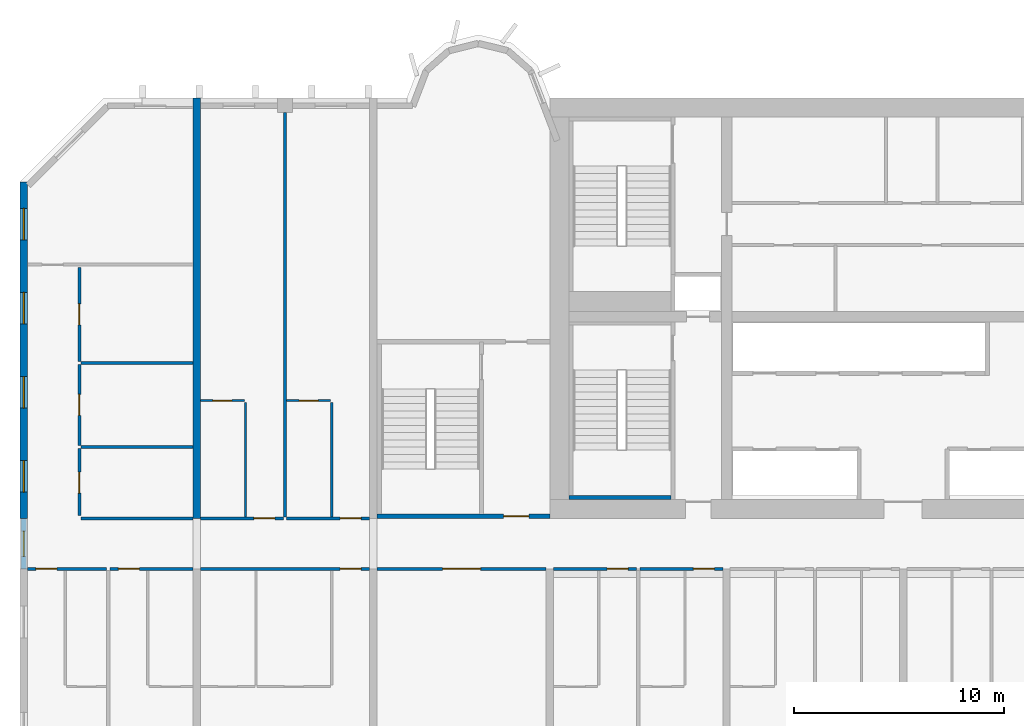
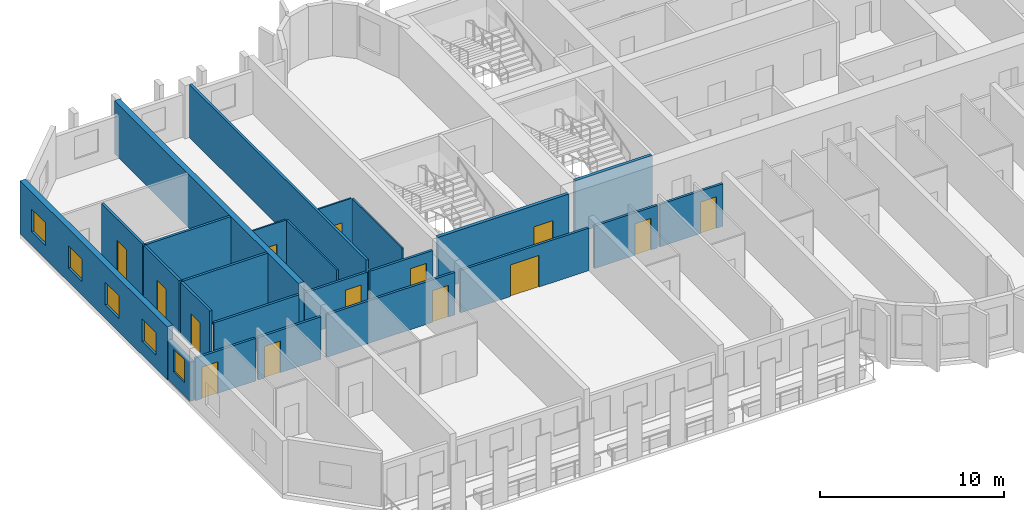
# One storey, part 3 of 15: 24 walls, 14 doors, 5 windows, 19 openings.
"""IFC4 building model written with IfcOpenShell, lengths in metres."""

from ifc_helpers import new_model, si_unit, direction, frame, frame_2d, origin, place, context, subcontext, project, spatial, rectangle, extrude, source, transform, mapped, material, layer, layer_set, type_object, element, fill, save


model = new_model("IFC4")

# Units and contexts
model_context = context("Model", 3, precision=1e-05, world=origin(), true_north=direction((0.0, 1.0)))
body_context = subcontext(model_context, "Body", "Model", "MODEL_VIEW")
ifc_project = project(units=[si_unit("LENGTHUNIT", "METRE"), si_unit("AREAUNIT", "SQUARE_METRE"), si_unit("VOLUMEUNIT", "CUBIC_METRE"), si_unit("PLANEANGLEUNIT", "RADIAN"), si_unit("MASSUNIT", "GRAM", prefix="KILO")], contexts=[model_context])

# Site, building, storey
site_placement = place(None, origin())
site = spatial("IfcSite", under=ifc_project, at=site_placement, CompositionType="ELEMENT")
building_placement = place(site_placement, origin())
building = spatial("IfcBuilding", under=site, at=building_placement, Name="Vanashikhar Sky Hotel", CompositionType="ELEMENT")
storey_placement = place(building_placement, frame((0.0, 0.0, 95.199951171875)))
storey = spatial("IfcBuildingStorey", under=building, at=storey_placement, Name="L22", CompositionType="ELEMENT", Elevation=95.199951171875)

# Wall, openings, windows
ifc_material_1 = material(Name="Concrete M70", Category="concrete")
ifc_layer_1 = layer(ifc_material_1, 0.35009765625)
ifc_layer_set_1 = layer_set([ifc_layer_1], Name="RC shear wall 350 Concrete M70")
wall_type_1 = type_object("IfcWallType", Name="RC shear wall 350 Concrete M70", PredefinedType="SHEAR", material=ifc_layer_set_1)
shared_shape_1 = source(origin(), body_context, "Body", "SweptSolid", [
    extrude(rectangle(XDim=16.0, YDim=0.35009765625, at=frame_2d((8.0, 0.0))), origin(), (0.0, 0.0, 1.0), 3.52001953125),
])
wall_1_placement = place(storey_placement, frame((0.175048828125, 22.0, 0.0), z_axis=(0.0, 0.0, 1.0), x_axis=(0.0, 1.0, 0.0)))
wall_1 = element("IfcWall", 1, at=wall_1_placement, inside=storey, type_object=wall_type_1, Name="CW-L22-XW01-2", PredefinedType="SHEAR", context=body_context, shape_type="MappedRepresentation", body=[
    mapped(shared_shape_1, transform((0.0, 0.0, 0.0), scale=1.0)),
])
shared_shape_2 = source(origin(), body_context, "Body", "SweptSolid", [
    extrude(rectangle(XDim=1.5, YDim=1.5, at=frame_2d((0.75, 0.75))), frame((0.0, 0.18505859375, 0.0), z_axis=(0.0, -1.0, 0.0), x_axis=(1.0, 0.0, 0.0)), (0.0, 0.0, 1.0), 0.3701171875),
])
opening_1_placement = place(wall_1_placement, frame((1.25, 0.0, 0.89990234375)))
opening_1 = element("IfcOpeningElement", 2, at=opening_1_placement, cuts=wall_1, Name="Opening WN-1", PredefinedType="OPENING", context=body_context, shape_type="MappedRepresentation", body=[
    mapped(shared_shape_2, transform((0.0, 0.0, 0.0), scale=1.0)),
])
opening_2_placement = place(wall_1_placement, frame((5.25, 0.0, 0.89990234375)))
opening_2 = element("IfcOpeningElement", 3, at=opening_2_placement, cuts=wall_1, Name="Opening WN-1", PredefinedType="OPENING", context=body_context, shape_type="MappedRepresentation", body=[
    mapped(shared_shape_2, transform((0.0, 0.0, 0.0), scale=1.0)),
])
opening_3_placement = place(wall_1_placement, frame((9.25, 0.0, 0.89990234375)))
opening_3 = element("IfcOpeningElement", 4, at=opening_3_placement, cuts=wall_1, Name="Opening WN-1", PredefinedType="OPENING", context=body_context, shape_type="MappedRepresentation", body=[
    mapped(shared_shape_2, transform((0.0, 0.0, 0.0), scale=1.0)),
])
opening_4_placement = place(wall_1_placement, frame((13.25, 0.0, 0.89990234375)))
opening_4 = element("IfcOpeningElement", 5, at=opening_4_placement, cuts=wall_1, Name="Opening WN-1", PredefinedType="OPENING", context=body_context, shape_type="MappedRepresentation", body=[
    mapped(shared_shape_2, transform((0.0, 0.0, 0.0), scale=1.0)),
])
ifc_material_2 = material(Name="Glass", Category="glass")
window_type_1 = type_object("IfcWindowType", Name="Window 1500 x 1500", PartitioningType="SINGLE_PANEL", PredefinedType="WINDOW", material=ifc_material_2)
shared_shape_3 = source(origin(), body_context, "Body", "SweptSolid", [
    extrude(rectangle(XDim=1.5, YDim=1.5, at=frame_2d((0.75, 0.75))), frame((0.0, 0.030029296875, 0.0), z_axis=(0.0, -1.0, 0.0), x_axis=(1.0, 0.0, 0.0)), (0.0, 0.0, 1.0), 0.06005859375),
])
window_1_placement = place(opening_1_placement, origin())
window_1 = element("IfcWindow", 6, at=window_1_placement, inside=storey, type_object=window_type_1, Name="Window WN-1", OverallHeight=1.5, OverallWidth=1.5, PartitioningType="SINGLE_PANEL", PredefinedType="WINDOW", context=body_context, shape_type="MappedRepresentation", body=[
    mapped(shared_shape_3, transform((0.0, 0.0, 0.0), scale=1.0)),
])
fill(opening_1, window_1)
window_2_placement = place(opening_2_placement, origin())
window_2 = element("IfcWindow", 7, at=window_2_placement, inside=storey, type_object=window_type_1, Name="Window WN-1", OverallHeight=1.5, OverallWidth=1.5, PartitioningType="SINGLE_PANEL", PredefinedType="WINDOW", context=body_context, shape_type="MappedRepresentation", body=[
    mapped(shared_shape_3, transform((0.0, 0.0, 0.0), scale=1.0)),
])
fill(opening_2, window_2)
window_3_placement = place(opening_3_placement, origin())
window_3 = element("IfcWindow", 8, at=window_3_placement, inside=storey, type_object=window_type_1, Name="Window WN-1", OverallHeight=1.5, OverallWidth=1.5, PartitioningType="SINGLE_PANEL", PredefinedType="WINDOW", context=body_context, shape_type="MappedRepresentation", body=[
    mapped(shared_shape_3, transform((0.0, 0.0, 0.0), scale=1.0)),
])
fill(opening_3, window_3)
window_4_placement = place(opening_4_placement, origin())
window_4 = element("IfcWindow", 9, at=window_4_placement, inside=storey, type_object=window_type_1, Name="Window WN-1", OverallHeight=1.5, OverallWidth=1.5, PartitioningType="SINGLE_PANEL", PredefinedType="WINDOW", context=body_context, shape_type="MappedRepresentation", body=[
    mapped(shared_shape_3, transform((0.0, 0.0, 0.0), scale=1.0)),
])
fill(opening_4, window_4)

# Wall
shared_shape_4 = source(origin(), body_context, "Body", "SweptSolid", [
    extrude(rectangle(XDim=20.0, YDim=0.35009765625, at=frame_2d((10.0, 0.0))), origin(), (0.0, 0.0, 1.0), 3.52001953125),
])
wall_2_placement = place(storey_placement, frame((8.39990234375, 22.0, 0.0), z_axis=(0.0, 0.0, 1.0), x_axis=(0.0, 1.0, 0.0)))
element("IfcWall", 10, at=wall_2_placement, inside=storey, type_object=wall_type_1, Name="CW-L22-XW02-2", PredefinedType="SHEAR", context=body_context, shape_type="MappedRepresentation", body=[
    mapped(shared_shape_4, transform((0.0, 0.0, 0.0), scale=1.0)),
])

# Wall, opening, window
ifc_material_3 = material(Name="Concrete M50", Category="concrete")
ifc_layer_2 = layer(ifc_material_3, 0.25)
ifc_layer_set_2 = layer_set([ifc_layer_2], Name="Rear and end board-marked wall 250")
wall_type_2 = type_object("IfcWallType", Name="Rear and end board-marked wall 250", PredefinedType="SOLIDWALL", material=ifc_layer_set_2)
shared_shape_5 = source(origin(), body_context, "Body", "SweptSolid", [
    extrude(rectangle(XDim=2.39990234375, YDim=0.25, at=frame_2d((1.199951171875, 0.0))), origin(), (0.0, 0.0, 1.0), 2.6201171875),
])
wall_3_placement = place(storey_placement, frame((0.175048828125, 19.60009765625, 0.0), z_axis=(0.0, 0.0, 1.0), x_axis=(0.0, 1.0, 0.0)))
wall_3 = element("IfcWall", 11, at=wall_3_placement, inside=storey, type_object=wall_type_2, Name="End corridor infill wall", PredefinedType="SOLIDWALL", context=body_context, shape_type="MappedRepresentation", body=[
    mapped(shared_shape_5, transform((0.0, 0.0, 0.0), scale=1.0)),
])
shared_shape_6 = source(origin(), body_context, "Body", "SweptSolid", [
    extrude(rectangle(XDim=1.199951171875, YDim=1.5, at=frame_2d((0.60009765625, 0.75))), frame((0.0, 0.135009765625, 0.0), z_axis=(0.0, -1.0, 0.0), x_axis=(1.0, 0.0, 0.0)), (0.0, 0.0, 1.0), 0.27001953125),
])
opening_5_placement = place(wall_3_placement, frame((0.60009765625, 0.0, 0.89990234375)))
opening_5 = element("IfcOpeningElement", 12, at=opening_5_placement, cuts=wall_3, Name="Opening WN-3", PredefinedType="OPENING", context=body_context, shape_type="MappedRepresentation", body=[
    mapped(shared_shape_6, transform((0.0, 0.0, 0.0), scale=1.0)),
])
window_type_2 = type_object("IfcWindowType", Name="Corridor end window 1200 x 1500", PartitioningType="SINGLE_PANEL", PredefinedType="WINDOW", material=ifc_material_2)
shared_shape_7 = source(origin(), body_context, "Body", "SweptSolid", [
    extrude(rectangle(XDim=1.199951171875, YDim=1.5, at=frame_2d((0.60009765625, 0.75))), frame((0.0, 0.030029296875, 0.0), z_axis=(0.0, -1.0, 0.0), x_axis=(1.0, 0.0, 0.0)), (0.0, 0.0, 1.0), 0.06005859375),
])
window_5_placement = place(opening_5_placement, origin())
window_5 = element("IfcWindow", 13, at=window_5_placement, inside=storey, type_object=window_type_2, Name="Window WN-3", OverallHeight=1.5, OverallWidth=1.199951171875, PartitioningType="SINGLE_PANEL", PredefinedType="WINDOW", context=body_context, shape_type="MappedRepresentation", body=[
    mapped(shared_shape_7, transform((0.0, 0.0, 0.0), scale=1.0)),
])
fill(opening_5, window_5)

# Wall, opening, door
ifc_layer_3 = layer(ifc_material_3, 0.199951171875)
ifc_layer_set_3 = layer_set([ifc_layer_3], Name="Stair wall 200")
wall_type_3 = type_object("IfcWallType", Name="Stair wall 200", PredefinedType="SOLIDWALL", material=ifc_layer_set_3)
shared_shape_8 = source(origin(), body_context, "Body", "SweptSolid", [
    extrude(rectangle(XDim=8.224853515625, YDim=0.199951171875, at=frame_2d((4.1123046875, 0.0))), origin(), (0.0, 0.0, 1.0), 3.52001953125),
])
wall_4_placement = place(storey_placement, frame((16.97509765625, 22.10009765625, 0.0), z_axis=(0.0, 0.0, 1.0), x_axis=(1.0, 0.0, 0.0)))
wall_4 = element("IfcWall", 14, at=wall_4_placement, inside=storey, type_object=wall_type_3, Name="Stair wall 200", PredefinedType="SOLIDWALL", context=body_context, shape_type="MappedRepresentation", body=[
    mapped(shared_shape_8, transform((0.0, 0.0, 0.0), scale=1.0)),
])
shared_shape_9 = source(origin(), body_context, "Body", "SweptSolid", [
    extrude(rectangle(XDim=1.199951171875, YDim=2.10009765625, at=frame_2d((0.60009765625, 1.050048828125))), frame((0.0, 0.10986328125, 0.0), z_axis=(0.0, -1.0, 0.0), x_axis=(1.0, 0.0, 0.0)), (0.0, 0.0, 1.0), 0.219970703125),
])
opening_6_placement = place(wall_4_placement, frame((6.02490234375, 0.0, 0.0)))
opening_6 = element("IfcOpeningElement", 15, at=opening_6_placement, cuts=wall_4, Name="Opening DC-2", PredefinedType="OPENING", context=body_context, shape_type="MappedRepresentation", body=[
    mapped(shared_shape_9, transform((0.0, 0.0, 0.0), scale=1.0)),
])
ifc_material_4 = material(Name="Steel", Category="steel")
door_type_1 = type_object("IfcDoorType", Name="Firefighting lobby door 1200 FD120", OperationType="NOTDEFINED", PredefinedType="DOOR", material=ifc_material_4)
shared_shape_10 = source(origin(), body_context, "Body", "SweptSolid", [
    extrude(rectangle(XDim=1.199951171875, YDim=2.10009765625, at=frame_2d((0.60009765625, 1.050048828125))), frame((0.0, 0.02490234375, 0.0), z_axis=(0.0, -1.0, 0.0), x_axis=(1.0, 0.0, 0.0)), (0.0, 0.0, 1.0), 0.050048828125),
])
door_1_placement = place(opening_6_placement, origin())
door_1 = element("IfcDoor", 16, at=door_1_placement, inside=storey, type_object=door_type_1, Name="Firefighting lobby door 1200 FD120", OperationType="SINGLE_SWING_LEFT", OverallHeight=2.10009765625, OverallWidth=1.199951171875, PredefinedType="DOOR", context=body_context, shape_type="MappedRepresentation", body=[
    mapped(shared_shape_10, transform((0.0, 0.0, 0.0), scale=1.0)),
])
fill(opening_6, door_1)

# Wall
ifc_layer_4 = layer(ifc_material_3, 0.199951171875)
ifc_layer_set_4 = layer_set([ifc_layer_4], Name="Stair infill wall 200")
wall_type_4 = type_object("IfcWallType", Name="Stair infill wall 200", PredefinedType="SOLIDWALL", material=ifc_layer_set_4)
shared_shape_11 = source(origin(), body_context, "Body", "SweptSolid", [
    extrude(rectangle(XDim=4.849853515625, YDim=0.199951171875, at=frame_2d((2.4248046875, 0.0))), origin(), (0.0, 0.0, 1.0), 3.52001953125),
])
wall_5_placement = place(storey_placement, frame((26.10009765625, 23.0, 0.0), z_axis=(0.0, 0.0, 1.0), x_axis=(1.0, 0.0, 0.0)))
element("IfcWall", 17, at=wall_5_placement, inside=storey, type_object=wall_type_4, Name="Stair infill wall 200", PredefinedType="SOLIDWALL", context=body_context, shape_type="MappedRepresentation", body=[
    mapped(shared_shape_11, transform((0.0, 0.0, 0.0), scale=1.0)),
])

# Wall, opening, door
ifc_material_5 = material(Name="Gypsum plasterboard partition")
ifc_layer_5 = layer(ifc_material_5, 0.14990234375)
ifc_layer_set_5 = layer_set([ifc_layer_5], Name="Corridor and demising partition 150")
wall_type_5 = type_object("IfcWallType", Name="Corridor and demising partition 150", PredefinedType="PARTITIONING", material=ifc_layer_set_5)
shared_shape_12 = source(origin(), body_context, "Body", "SweptSolid", [
    extrude(rectangle(XDim=3.175048828125, YDim=0.14990234375, at=frame_2d((1.58740234375, 0.0))), origin(), (0.0, 0.0, 1.0), 3.52001953125),
])
wall_6_placement = place(storey_placement, frame((2.824951171875, 22.14990234375, 0.0), z_axis=(0.0, 0.0, 1.0), x_axis=(0.0, 1.0, 0.0)))
wall_6 = element("IfcWall", 18, at=wall_6_placement, inside=storey, type_object=wall_type_5, Name="W-L22-PW074", PredefinedType="PARTITIONING", context=body_context, shape_type="MappedRepresentation", body=[
    mapped(shared_shape_12, transform((0.0, 0.0, 0.0), scale=1.0)),
])
shared_shape_13 = source(origin(), body_context, "Body", "SweptSolid", [
    extrude(rectangle(XDim=1.0, YDim=2.10009765625, at=frame_2d((0.5, 1.050048828125))), frame((0.0, 0.0849609375, 0.0), z_axis=(0.0, -1.0, 0.0), x_axis=(1.0, 0.0, 0.0)), (0.0, 0.0, 1.0), 0.169921875),
])
opening_7_placement = place(wall_6_placement, frame((1.050048828125, 0.0, 0.0)))
opening_7 = element("IfcOpeningElement", 19, at=opening_7_placement, cuts=wall_6, Name="Opening D-01", PredefinedType="OPENING", context=body_context, shape_type="MappedRepresentation", body=[
    mapped(shared_shape_13, transform((0.0, 0.0, 0.0), scale=1.0)),
])
ifc_material_6 = material(Name="Timber fire door", Category="wood")
door_type_2 = type_object("IfcDoorType", Name="Guest entry door 1000 FD30S", OperationType="NOTDEFINED", PredefinedType="DOOR", material=ifc_material_6)
shared_shape_14 = source(origin(), body_context, "Body", "SweptSolid", [
    extrude(rectangle(XDim=1.0, YDim=2.10009765625, at=frame_2d((0.5, 1.050048828125))), frame((0.0, 0.02490234375, 0.0), z_axis=(0.0, -1.0, 0.0), x_axis=(1.0, 0.0, 0.0)), (0.0, 0.0, 1.0), 0.050048828125),
])
door_2_placement = place(opening_7_placement, origin())
door_2 = element("IfcDoor", 20, at=door_2_placement, inside=storey, type_object=door_type_2, Name="D-L22-042", OperationType="SINGLE_SWING_LEFT", OverallHeight=2.10009765625, OverallWidth=1.0, PredefinedType="DOOR", context=body_context, shape_type="MappedRepresentation", body=[
    mapped(shared_shape_14, transform((0.0, 0.0, 0.0), scale=1.0)),
])
fill(opening_7, door_2)

shared_shape_15 = source(origin(), body_context, "Body", "SweptSolid", [
    extrude(rectangle(XDim=3.849853515625, YDim=0.14990234375, at=frame_2d((1.9248046875, 0.0))), origin(), (0.0, 0.0, 1.0), 3.52001953125),
])
wall_7_placement = place(storey_placement, frame((2.824951171875, 25.47509765625, 0.0), z_axis=(0.0, 0.0, 1.0), x_axis=(0.0, 1.0, 0.0)))
wall_7 = element("IfcWall", 21, at=wall_7_placement, inside=storey, type_object=wall_type_5, Name="W-L22-PW076", PredefinedType="PARTITIONING", context=body_context, shape_type="MappedRepresentation", body=[
    mapped(shared_shape_15, transform((0.0, 0.0, 0.0), scale=1.0)),
])
opening_8_placement = place(wall_7_placement, frame((1.425048828125, 0.0, 0.0)))
opening_8 = element("IfcOpeningElement", 22, at=opening_8_placement, cuts=wall_7, Name="Opening D-01", PredefinedType="OPENING", context=body_context, shape_type="MappedRepresentation", body=[
    mapped(shared_shape_13, transform((0.0, 0.0, 0.0), scale=1.0)),
])
door_3_placement = place(opening_8_placement, origin())
door_3 = element("IfcDoor", 23, at=door_3_placement, inside=storey, type_object=door_type_2, Name="D-L22-043", OperationType="SINGLE_SWING_LEFT", OverallHeight=2.10009765625, OverallWidth=1.0, PredefinedType="DOOR", context=body_context, shape_type="MappedRepresentation", body=[
    mapped(shared_shape_14, transform((0.0, 0.0, 0.0), scale=1.0)),
])
fill(opening_8, door_3)

shared_shape_16 = source(origin(), body_context, "Body", "SweptSolid", [
    extrude(rectangle(XDim=4.449951171875, YDim=0.14990234375, at=frame_2d((2.22509765625, 0.0))), origin(), (0.0, 0.0, 1.0), 3.52001953125),
])
wall_8_placement = place(storey_placement, frame((2.824951171875, 29.47509765625, 0.0), z_axis=(0.0, 0.0, 1.0), x_axis=(0.0, 1.0, 0.0)))
wall_8 = element("IfcWall", 24, at=wall_8_placement, inside=storey, type_object=wall_type_5, Name="W-L22-PW078", PredefinedType="PARTITIONING", context=body_context, shape_type="MappedRepresentation", body=[
    mapped(shared_shape_16, transform((0.0, 0.0, 0.0), scale=1.0)),
])
opening_9_placement = place(wall_8_placement, frame((1.72509765625, 0.0, 0.0)))
opening_9 = element("IfcOpeningElement", 25, at=opening_9_placement, cuts=wall_8, Name="Opening D-01", PredefinedType="OPENING", context=body_context, shape_type="MappedRepresentation", body=[
    mapped(shared_shape_13, transform((0.0, 0.0, 0.0), scale=1.0)),
])
door_4_placement = place(opening_9_placement, origin())
door_4 = element("IfcDoor", 26, at=door_4_placement, inside=storey, type_object=door_type_2, Name="D-L22-044", OperationType="SINGLE_SWING_LEFT", OverallHeight=2.10009765625, OverallWidth=1.0, PredefinedType="DOOR", context=body_context, shape_type="MappedRepresentation", body=[
    mapped(shared_shape_14, transform((0.0, 0.0, 0.0), scale=1.0)),
])
fill(opening_9, door_4)

# Walls
ifc_layer_6 = layer(ifc_material_5, 0.10009765625)
ifc_layer_set_6 = layer_set([ifc_layer_6], Name="Wet room partition 100")
wall_type_6 = type_object("IfcWallType", Name="Wet room partition 100", PredefinedType="PARTITIONING", material=ifc_layer_set_6)
shared_shape_17 = source(origin(), body_context, "Body", "SweptSolid", [
    extrude(rectangle(XDim=5.449951171875, YDim=0.10009765625, at=frame_2d((2.72509765625, 0.0))), origin(), (0.0, 0.0, 1.0), 3.52001953125),
])
for number, where, z_axis, x_axis, name in (
    (27, (10.72509765625, 22.074951171875, 0.0), (0.0, 0.0, 1.0), (0.0, 1.0, 0.0), "W-L22-PW080"),
    (28, (14.824951171875, 22.074951171875, 0.0), (0.0, 0.0, 1.0), (0.0, 1.0, 0.0), "W-L22-PW083"),
):
    element("IfcWall", number, at=place(storey_placement, frame(where, z_axis=z_axis, x_axis=x_axis)), inside=storey, type_object=wall_type_6, Name=name, PredefinedType="PARTITIONING", context=body_context, shape_type="MappedRepresentation", body=[
        mapped(shared_shape_17, transform((0.0, 0.0, 0.0), scale=1.0)),
    ])

# Wall, opening, door
shared_shape_18 = source(origin(), body_context, "Body", "SweptSolid", [
    extrude(rectangle(XDim=3.77490234375, YDim=0.14990234375, at=frame_2d((1.887451171875, 0.0))), origin(), (0.0, 0.0, 1.0), 2.820068359375),
])
wall_9_placement = place(storey_placement, frame((0.35009765625, 19.60009765625, 0.0), z_axis=(0.0, 0.0, 1.0), x_axis=(1.0, 0.0, 0.0)))
wall_9 = element("IfcWall", 29, at=wall_9_placement, inside=storey, type_object=wall_type_5, Name="W-L22-PW003", PredefinedType="PARTITIONING", context=body_context, shape_type="MappedRepresentation", body=[
    mapped(shared_shape_18, transform((0.0, 0.0, 0.0), scale=1.0)),
])
opening_10_placement = place(wall_9_placement, frame((0.39990234375, 0.0, 0.0)))
opening_10 = element("IfcOpeningElement", 30, at=opening_10_placement, cuts=wall_9, Name="Opening D-01", PredefinedType="OPENING", context=body_context, shape_type="MappedRepresentation", body=[
    mapped(shared_shape_13, transform((0.0, 0.0, 0.0), scale=1.0)),
])
door_5_placement = place(opening_10_placement, origin())
door_5 = element("IfcDoor", 31, at=door_5_placement, inside=storey, type_object=door_type_2, Name="D-L22-002", OperationType="SINGLE_SWING_LEFT", OverallHeight=2.10009765625, OverallWidth=1.0, PredefinedType="DOOR", context=body_context, shape_type="MappedRepresentation", body=[
    mapped(shared_shape_14, transform((0.0, 0.0, 0.0), scale=1.0)),
])
fill(opening_10, door_5)

shared_shape_19 = source(origin(), body_context, "Body", "SweptSolid", [
    extrude(rectangle(XDim=2.10009765625, YDim=0.10009765625, at=frame_2d((1.050048828125, 0.0))), origin(), (0.0, 0.0, 1.0), 3.52001953125),
])
wall_10_placement = place(storey_placement, frame((8.574951171875, 27.60009765625, 0.0), z_axis=(0.0, 0.0, 1.0), x_axis=(1.0, 0.0, 0.0)))
wall_10 = element("IfcWall", 32, at=wall_10_placement, inside=storey, type_object=wall_type_6, Name="W-L22-PW081", PredefinedType="PARTITIONING", context=body_context, shape_type="MappedRepresentation", body=[
    mapped(shared_shape_19, transform((0.0, 0.0, 0.0), scale=1.0)),
])
shared_shape_20 = source(origin(), body_context, "Body", "SweptSolid", [
    extrude(rectangle(XDim=0.89990234375, YDim=2.10009765625, at=frame_2d((0.449951171875, 1.050048828125))), frame((0.0, 0.06005859375, 0.0), z_axis=(0.0, -1.0, 0.0), x_axis=(1.0, 0.0, 0.0)), (0.0, 0.0, 1.0), 0.1201171875),
])
opening_11_placement = place(wall_10_placement, frame((0.60009765625, 0.0, 0.0)))
opening_11 = element("IfcOpeningElement", 33, at=opening_11_placement, cuts=wall_10, Name="Opening D-02", PredefinedType="OPENING", context=body_context, shape_type="MappedRepresentation", body=[
    mapped(shared_shape_20, transform((0.0, 0.0, 0.0), scale=1.0)),
])
ifc_material_7 = material(Name="Timber door", Category="wood")
door_type_3 = type_object("IfcDoorType", Name="Internal door 900", OperationType="NOTDEFINED", PredefinedType="DOOR", material=ifc_material_7)
shared_shape_21 = source(origin(), body_context, "Body", "SweptSolid", [
    extrude(rectangle(XDim=0.89990234375, YDim=2.10009765625, at=frame_2d((0.449951171875, 1.050048828125))), frame((0.0, 0.02490234375, 0.0), z_axis=(0.0, -1.0, 0.0), x_axis=(1.0, 0.0, 0.0)), (0.0, 0.0, 1.0), 0.050048828125),
])
door_6_placement = place(opening_11_placement, origin())
door_6 = element("IfcDoor", 34, at=door_6_placement, inside=storey, type_object=door_type_3, Name="D-L22-046", OperationType="SINGLE_SWING_RIGHT", OverallHeight=2.10009765625, OverallWidth=0.89990234375, PredefinedType="DOOR", context=body_context, shape_type="MappedRepresentation", body=[
    mapped(shared_shape_21, transform((0.0, 0.0, 0.0), scale=1.0)),
])
fill(opening_11, door_6)

shared_shape_22 = source(origin(), body_context, "Body", "SweptSolid", [
    extrude(rectangle(XDim=3.9501953125, YDim=0.14990234375, at=frame_2d((1.97509765625, 0.0))), origin(), (0.0, 0.0, 1.0), 2.820068359375),
])
wall_11_placement = place(storey_placement, frame((4.27490234375, 19.60009765625, 0.0), z_axis=(0.0, 0.0, 1.0), x_axis=(1.0, 0.0, 0.0)))
wall_11 = element("IfcWall", 35, at=wall_11_placement, inside=storey, type_object=wall_type_5, Name="W-L22-PW006", PredefinedType="PARTITIONING", context=body_context, shape_type="MappedRepresentation", body=[
    mapped(shared_shape_22, transform((0.0, 0.0, 0.0), scale=1.0)),
])
opening_12_placement = place(wall_11_placement, frame((0.39990234375, 0.0, 0.0)))
opening_12 = element("IfcOpeningElement", 36, at=opening_12_placement, cuts=wall_11, Name="Opening D-01", PredefinedType="OPENING", context=body_context, shape_type="MappedRepresentation", body=[
    mapped(shared_shape_13, transform((0.0, 0.0, 0.0), scale=1.0)),
])
door_7_placement = place(opening_12_placement, origin())
door_7 = element("IfcDoor", 37, at=door_7_placement, inside=storey, type_object=door_type_2, Name="D-L22-004", OperationType="SINGLE_SWING_LEFT", OverallHeight=2.10009765625, OverallWidth=1.0, PredefinedType="DOOR", context=body_context, shape_type="MappedRepresentation", body=[
    mapped(shared_shape_14, transform((0.0, 0.0, 0.0), scale=1.0)),
])
fill(opening_12, door_7)

shared_shape_23 = source(origin(), body_context, "Body", "SweptSolid", [
    extrude(rectangle(XDim=8.050048828125, YDim=0.14990234375, at=frame_2d((4.02490234375, 0.0))), origin(), (0.0, 0.0, 1.0), 2.820068359375),
])
wall_12_placement = place(storey_placement, frame((8.574951171875, 19.60009765625, 0.0), z_axis=(0.0, 0.0, 1.0), x_axis=(1.0, 0.0, 0.0)))
wall_12 = element("IfcWall", 38, at=wall_12_placement, inside=storey, type_object=wall_type_5, Name="W-L22-PW012", PredefinedType="PARTITIONING", context=body_context, shape_type="MappedRepresentation", body=[
    mapped(shared_shape_23, transform((0.0, 0.0, 0.0), scale=1.0)),
])
opening_13_placement = place(wall_12_placement, frame((6.64990234375, 0.0, 0.0)))
opening_13 = element("IfcOpeningElement", 39, at=opening_13_placement, cuts=wall_12, Name="Opening D-01", PredefinedType="OPENING", context=body_context, shape_type="MappedRepresentation", body=[
    mapped(shared_shape_13, transform((0.0, 0.0, 0.0), scale=1.0)),
])
door_8_placement = place(opening_13_placement, origin())
door_8 = element("IfcDoor", 40, at=door_8_placement, inside=storey, type_object=door_type_2, Name="D-L22-007", OperationType="SINGLE_SWING_RIGHT", OverallHeight=2.10009765625, OverallWidth=1.0, PredefinedType="DOOR", context=body_context, shape_type="MappedRepresentation", body=[
    mapped(shared_shape_14, transform((0.0, 0.0, 0.0), scale=1.0)),
])
fill(opening_13, door_8)

shared_shape_24 = source(origin(), body_context, "Body", "SweptSolid", [
    extrude(rectangle(XDim=8.0498046875, YDim=0.14990234375, at=frame_2d((4.02490234375, 0.0))), origin(), (0.0, 0.0, 1.0), 2.820068359375),
])
wall_13_placement = place(storey_placement, frame((16.97509765625, 19.60009765625, 0.0), z_axis=(0.0, 0.0, 1.0), x_axis=(1.0, 0.0, 0.0)))
wall_13 = element("IfcWall", 41, at=wall_13_placement, inside=storey, type_object=wall_type_5, Name="W-L22-PW013", PredefinedType="PARTITIONING", context=body_context, shape_type="MappedRepresentation", body=[
    mapped(shared_shape_24, transform((0.0, 0.0, 0.0), scale=1.0)),
])
shared_shape_25 = source(origin(), body_context, "Body", "SweptSolid", [
    extrude(rectangle(XDim=1.800048828125, YDim=2.10009765625, at=frame_2d((0.89990234375, 1.050048828125))), frame((0.0, 0.0849609375, 0.0), z_axis=(0.0, -1.0, 0.0), x_axis=(1.0, 0.0, 0.0)), (0.0, 0.0, 1.0), 0.169921875),
])
opening_14_placement = place(wall_13_placement, frame((3.125, 0.0, 0.0)))
opening_14 = element("IfcOpeningElement", 42, at=opening_14_placement, cuts=wall_13, Name="Opening D-03", PredefinedType="OPENING", context=body_context, shape_type="MappedRepresentation", body=[
    mapped(shared_shape_25, transform((0.0, 0.0, 0.0), scale=1.0)),
])
door_type_4 = type_object("IfcDoorType", Name="Double leaf door 1800 FD30S", OperationType="NOTDEFINED", PredefinedType="DOOR", material=ifc_material_6)
shared_shape_26 = source(origin(), body_context, "Body", "SweptSolid", [
    extrude(rectangle(XDim=1.800048828125, YDim=2.10009765625, at=frame_2d((0.89990234375, 1.050048828125))), frame((0.0, 0.02490234375, 0.0), z_axis=(0.0, -1.0, 0.0), x_axis=(1.0, 0.0, 0.0)), (0.0, 0.0, 1.0), 0.050048828125),
])
door_9_placement = place(opening_14_placement, origin())
door_9 = element("IfcDoor", 43, at=door_9_placement, inside=storey, type_object=door_type_4, Name="D-L22-008", OperationType="DOUBLE_DOOR_SINGLE_SWING", OverallHeight=2.10009765625, OverallWidth=1.800048828125, PredefinedType="DOOR", context=body_context, shape_type="MappedRepresentation", body=[
    mapped(shared_shape_26, transform((0.0, 0.0, 0.0), scale=1.0)),
])
fill(opening_14, door_9)

shared_shape_27 = source(origin(), body_context, "Body", "SweptSolid", [
    extrude(rectangle(XDim=3.949951171875, YDim=0.14990234375, at=frame_2d((1.97509765625, 0.0))), origin(), (0.0, 0.0, 1.0), 2.820068359375),
])
wall_14_placement = place(storey_placement, frame((25.375, 19.60009765625, 0.0), z_axis=(0.0, 0.0, 1.0), x_axis=(1.0, 0.0, 0.0)))
wall_14 = element("IfcWall", 44, at=wall_14_placement, inside=storey, type_object=wall_type_5, Name="W-L22-PW016", PredefinedType="PARTITIONING", context=body_context, shape_type="MappedRepresentation", body=[
    mapped(shared_shape_27, transform((0.0, 0.0, 0.0), scale=1.0)),
])
opening_15_placement = place(wall_14_placement, frame((2.550048828125, 0.0, 0.0)))
opening_15 = element("IfcOpeningElement", 45, at=opening_15_placement, cuts=wall_14, Name="Opening D-01", PredefinedType="OPENING", context=body_context, shape_type="MappedRepresentation", body=[
    mapped(shared_shape_13, transform((0.0, 0.0, 0.0), scale=1.0)),
])
door_10_placement = place(opening_15_placement, origin())
door_10 = element("IfcDoor", 46, at=door_10_placement, inside=storey, type_object=door_type_2, Name="D-L22-010", OperationType="SINGLE_SWING_RIGHT", OverallHeight=2.10009765625, OverallWidth=1.0, PredefinedType="DOOR", context=body_context, shape_type="MappedRepresentation", body=[
    mapped(shared_shape_14, transform((0.0, 0.0, 0.0), scale=1.0)),
])
fill(opening_15, door_10)

wall_15_placement = place(storey_placement, frame((29.47509765625, 19.60009765625, 0.0), z_axis=(0.0, 0.0, 1.0), x_axis=(1.0, 0.0, 0.0)))
wall_15 = element("IfcWall", 47, at=wall_15_placement, inside=storey, type_object=wall_type_5, Name="W-L22-PW019", PredefinedType="PARTITIONING", context=body_context, shape_type="MappedRepresentation", body=[
    mapped(shared_shape_27, transform((0.0, 0.0, 0.0), scale=1.0)),
])
opening_16_placement = place(wall_15_placement, frame((2.550048828125, 0.0, 0.0)))
opening_16 = element("IfcOpeningElement", 48, at=opening_16_placement, cuts=wall_15, Name="Opening D-01", PredefinedType="OPENING", context=body_context, shape_type="MappedRepresentation", body=[
    mapped(shared_shape_13, transform((0.0, 0.0, 0.0), scale=1.0)),
])
door_11_placement = place(opening_16_placement, origin())
door_11 = element("IfcDoor", 49, at=door_11_placement, inside=storey, type_object=door_type_2, Name="D-L22-012", OperationType="SINGLE_SWING_RIGHT", OverallHeight=2.10009765625, OverallWidth=1.0, PredefinedType="DOOR", context=body_context, shape_type="MappedRepresentation", body=[
    mapped(shared_shape_14, transform((0.0, 0.0, 0.0), scale=1.0)),
])
fill(opening_16, door_11)

wall_16_placement = place(storey_placement, frame((8.574951171875, 22.0, 0.0), z_axis=(0.0, 0.0, 1.0), x_axis=(1.0, 0.0, 0.0)))
wall_16 = element("IfcWall", 50, at=wall_16_placement, inside=storey, type_object=wall_type_5, Name="W-L22-PW082", PredefinedType="PARTITIONING", context=body_context, shape_type="MappedRepresentation", body=[
    mapped(shared_shape_27, transform((0.0, 0.0, 0.0), scale=1.0)),
])
opening_17_placement = place(wall_16_placement, frame((2.550048828125, 0.0, 0.0)))
opening_17 = element("IfcOpeningElement", 51, at=opening_17_placement, cuts=wall_16, Name="Opening D-01", PredefinedType="OPENING", context=body_context, shape_type="MappedRepresentation", body=[
    mapped(shared_shape_13, transform((0.0, 0.0, 0.0), scale=1.0)),
])
door_12_placement = place(opening_17_placement, origin())
door_12 = element("IfcDoor", 52, at=door_12_placement, inside=storey, type_object=door_type_2, Name="D-L22-047", OperationType="SINGLE_SWING_RIGHT", OverallHeight=2.10009765625, OverallWidth=1.0, PredefinedType="DOOR", context=body_context, shape_type="MappedRepresentation", body=[
    mapped(shared_shape_14, transform((0.0, 0.0, 0.0), scale=1.0)),
])
fill(opening_17, door_12)

wall_17_placement = place(storey_placement, frame((12.675048828125, 22.0, 0.0), z_axis=(0.0, 0.0, 1.0), x_axis=(1.0, 0.0, 0.0)))
wall_17 = element("IfcWall", 53, at=wall_17_placement, inside=storey, type_object=wall_type_5, Name="W-L22-PW085", PredefinedType="PARTITIONING", context=body_context, shape_type="MappedRepresentation", body=[
    mapped(shared_shape_27, transform((0.0, 0.0, 0.0), scale=1.0)),
])
opening_18_placement = place(wall_17_placement, frame((2.550048828125, 0.0, 0.0)))
opening_18 = element("IfcOpeningElement", 54, at=opening_18_placement, cuts=wall_17, Name="Opening D-01", PredefinedType="OPENING", context=body_context, shape_type="MappedRepresentation", body=[
    mapped(shared_shape_13, transform((0.0, 0.0, 0.0), scale=1.0)),
])
door_13_placement = place(opening_18_placement, origin())
door_13 = element("IfcDoor", 55, at=door_13_placement, inside=storey, type_object=door_type_2, Name="D-L22-049", OperationType="SINGLE_SWING_RIGHT", OverallHeight=2.10009765625, OverallWidth=1.0, PredefinedType="DOOR", context=body_context, shape_type="MappedRepresentation", body=[
    mapped(shared_shape_14, transform((0.0, 0.0, 0.0), scale=1.0)),
])
fill(opening_18, door_13)

shared_shape_28 = source(origin(), body_context, "Body", "SweptSolid", [
    extrude(rectangle(XDim=2.099853515625, YDim=0.10009765625, at=frame_2d((1.0498046875, 0.0))), origin(), (0.0, 0.0, 1.0), 3.52001953125),
])
wall_18_placement = place(storey_placement, frame((12.675048828125, 27.60009765625, 0.0), z_axis=(0.0, 0.0, 1.0), x_axis=(1.0, 0.0, 0.0)))
wall_18 = element("IfcWall", 56, at=wall_18_placement, inside=storey, type_object=wall_type_6, Name="W-L22-PW084", PredefinedType="PARTITIONING", context=body_context, shape_type="MappedRepresentation", body=[
    mapped(shared_shape_28, transform((0.0, 0.0, 0.0), scale=1.0)),
])
opening_19_placement = place(wall_18_placement, frame((0.60009765625, 0.0, 0.0)))
opening_19 = element("IfcOpeningElement", 57, at=opening_19_placement, cuts=wall_18, Name="Opening D-02", PredefinedType="OPENING", context=body_context, shape_type="MappedRepresentation", body=[
    mapped(shared_shape_20, transform((0.0, 0.0, 0.0), scale=1.0)),
])
door_14_placement = place(opening_19_placement, origin())
door_14 = element("IfcDoor", 58, at=door_14_placement, inside=storey, type_object=door_type_3, Name="D-L22-048", OperationType="SINGLE_SWING_RIGHT", OverallHeight=2.10009765625, OverallWidth=0.89990234375, PredefinedType="DOOR", context=body_context, shape_type="MappedRepresentation", body=[
    mapped(shared_shape_21, transform((0.0, 0.0, 0.0), scale=1.0)),
])
fill(opening_19, door_14)

# Walls
shared_shape_29 = source(origin(), body_context, "Body", "SweptSolid", [
    extrude(rectangle(XDim=5.3251953125, YDim=0.14990234375, at=frame_2d((2.66259765625, 0.0))), origin(), (0.0, 0.0, 1.0), 2.820068359375),
])
wall_19_placement = place(storey_placement, frame((2.89990234375, 22.0, 0.0), z_axis=(0.0, 0.0, 1.0), x_axis=(1.0, 0.0, 0.0)))
element("IfcWall", 59, at=wall_19_placement, inside=storey, type_object=wall_type_5, Name="W-L22-PW073", PredefinedType="PARTITIONING", context=body_context, shape_type="MappedRepresentation", body=[
    mapped(shared_shape_29, transform((0.0, 0.0, 0.0), scale=1.0)),
])
shared_shape_30 = source(origin(), body_context, "Body", "SweptSolid", [
    extrude(rectangle(XDim=5.3251953125, YDim=0.14990234375, at=frame_2d((2.66259765625, 0.0))), origin(), (0.0, 0.0, 1.0), 3.52001953125),
])
for number, where, z_axis, x_axis, name in (
    (60, (2.89990234375, 25.39990234375, 0.0), (0.0, 0.0, 1.0), (1.0, 0.0, 0.0), "W-L22-PW075"),
    (61, (2.89990234375, 29.39990234375, 0.0), (0.0, 0.0, 1.0), (1.0, 0.0, 0.0), "W-L22-PW077"),
):
    element("IfcWall", number, at=place(storey_placement, frame(where, z_axis=z_axis, x_axis=x_axis)), inside=storey, type_object=wall_type_5, Name=name, PredefinedType="PARTITIONING", context=body_context, shape_type="MappedRepresentation", body=[
        mapped(shared_shape_30, transform((0.0, 0.0, 0.0), scale=1.0)),
    ])
shared_shape_31 = source(origin(), body_context, "Body", "SweptSolid", [
    extrude(rectangle(XDim=19.22509765625, YDim=0.14990234375, at=frame_2d((9.612548828125, 0.0))), origin(), (0.0, 0.0, 1.0), 3.52001953125),
])
wall_20_placement = place(storey_placement, frame((12.60009765625, 22.074951171875, 0.0), z_axis=(0.0, 0.0, 1.0), x_axis=(0.0, 1.0, 0.0)))
element("IfcWall", 62, at=wall_20_placement, inside=storey, type_object=wall_type_5, Name="W-L22-PW086", PredefinedType="PARTITIONING", context=body_context, shape_type="MappedRepresentation", body=[
    mapped(shared_shape_31, transform((0.0, 0.0, 0.0), scale=1.0)),
])

save(model, "model.ifc")
